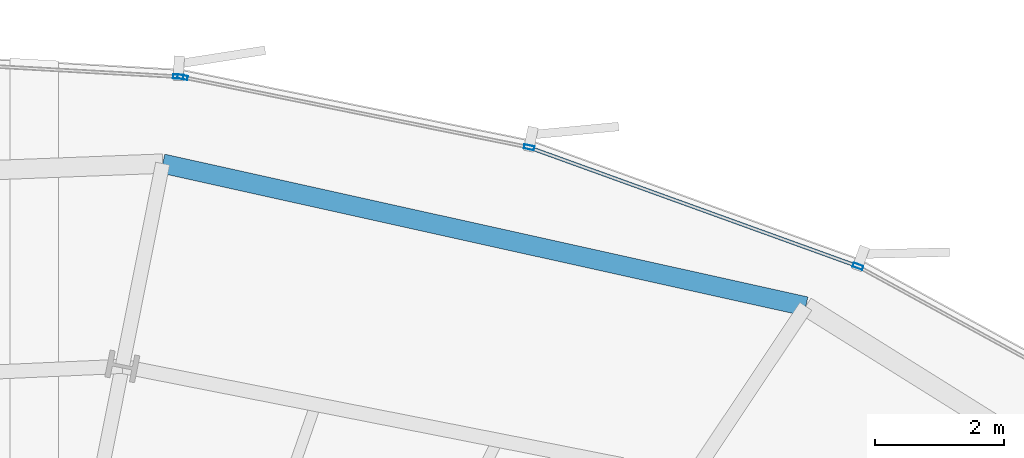
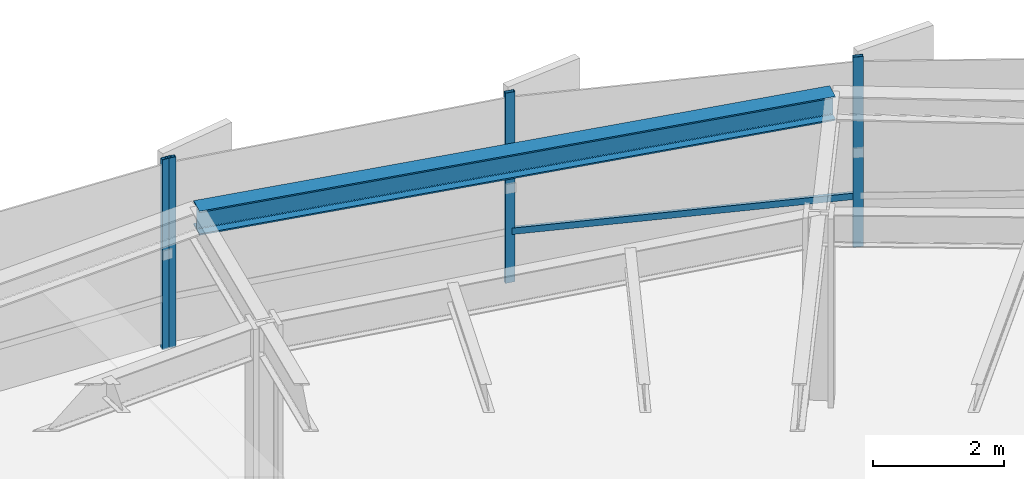
# One storey, part 29 of 39: 5 members, 1 beam, 2 elements without a shape of their own.
"""IFC4 building model written with IfcOpenShell, lengths in metres."""

from ifc_helpers import new_model, si_unit, direction, frame, origin, origin_2d, place, context, subcontext, project, spatial, hollow_rectangle, i_section, extrude, source, transform, mapped, material, layer, layer_set, material_profile, profile_set, type_object, element, aggregate, save


model = new_model("IFC4")

# Units and contexts
model_context = context("Model", 3, precision=1e-05, world=origin(), true_north=direction((0.0, 1.0)))
body_context = subcontext(model_context, "Body", "Model", "MODEL_VIEW")
ifc_project = project(units=[si_unit("LENGTHUNIT", "METRE"), si_unit("AREAUNIT", "SQUARE_METRE"), si_unit("VOLUMEUNIT", "CUBIC_METRE"), si_unit("PLANEANGLEUNIT", "RADIAN"), si_unit("MASSUNIT", "GRAM", prefix="KILO"), si_unit("THERMODYNAMICTEMPERATUREUNIT", "KELVIN")], contexts=[model_context])

# Site, building, storey
site_placement = place(None, origin())
site = spatial("IfcSite", under=ifc_project, at=site_placement, CompositionType="ELEMENT")
building_placement = place(site_placement, origin())
building = spatial("IfcBuilding", under=site, at=building_placement, Name="Kethvar Cultural Tower", CompositionType="ELEMENT")
storey_placement = place(building_placement, frame((0.0, 0.0, 33.39990234375)))
storey = spatial("IfcBuildingStorey", under=building, at=storey_placement, Name="L07", CompositionType="ELEMENT", Elevation=33.39990234375)

# Beam
ifc_material_1 = material(Name="Steel S355J2", Category="steel")
ifc_material_profile_1 = material_profile(ifc_material_1, i_section(OverallWidth=0.300048828125, OverallDepth=0.449951171875, WebThickness=0.013916015625, FlangeThickness=0.02587890625, FilletRadius=0.027099609375, at=origin_2d()), Name="Steel S355J2 — HEB450")
ifc_profile_set_1 = profile_set([ifc_material_profile_1], Name="Steel S355J2 — HEB450")
beam_type = type_object("IfcBeamType", Name="BM-SP450", PredefinedType="SPANDREL", material=ifc_profile_set_1)
shared_shape_1 = source(origin(), body_context, "Body", "SweptSolid", [
    extrude(i_section(OverallWidth=0.300048828125, OverallDepth=0.449951171875, WebThickness=0.013916015625, FlangeThickness=0.02587890625, FilletRadius=0.027099609375, at=origin_2d()), origin(), (0.0, 0.0, 1.0), 10.19873046875),
])
beam_placement = place(storey_placement, frame((61.602783203125, 49.9541015625, 3.322998046875), z_axis=(-0.976234913358, 0.216715006268, 0.0), x_axis=(-0.216715006268, -0.976234913358, 0.0)))
element("IfcBeam", 1, at=beam_placement, inside=storey, type_object=beam_type, Name="L07 Perimeter Spandrel Beam SP-03", PredefinedType="SPANDREL", context=body_context, shape_type="MappedRepresentation", body=[
    mapped(shared_shape_1, transform((0.0, 0.0, 0.0), scale=1.0)),
])

# Curtain wall, members
ifc_material_2 = material(Name="Aluminium 6063-T6", Category="aluminium")
ifc_layer = layer(ifc_material_2, 0.179931640625, Name="Aluminium 6063-T6", Category="aluminium")
ifc_layer_set = layer_set([ifc_layer], Name="Aluminium 6063-T6 (180 mm)")
curtain_wall_type = type_object("IfcCurtainWallType", Name="CW-SYS-02-Z1", PredefinedType="NOTDEFINED", material=ifc_layer_set)
curtain_wall_1_placement = place(storey_placement, origin())
curtain_wall_1 = element("IfcCurtainWall", 2, at=curtain_wall_1_placement, inside=storey, type_object=curtain_wall_type, Name="L07 Curtain Wall Run 02", PredefinedType="NOTDEFINED")
ifc_material_profile_2 = material_profile(ifc_material_2, hollow_rectangle(XDim=0.06494140625, YDim=0.159912109375, WallThickness=0.0048828125, at=origin_2d()), Name="Aluminium 6063-T6 — RHS160x65x5")
ifc_profile_set_2 = profile_set([ifc_material_profile_2], Name="Aluminium 6063-T6 — RHS160x65x5")
member_type_1 = type_object("IfcMemberType", Name="CW-SYS-02-Z1-MUL", PredefinedType="MULLION", material=ifc_profile_set_2)
shared_shape_2 = source(origin(), body_context, "Body", "SweptSolid", [
    extrude(hollow_rectangle(XDim=0.06494140625, YDim=0.159912109375, WallThickness=0.0048828125, at=origin_2d()), origin(), (0.0, 0.0, 1.0), 3.550048828125),
])
member_1_placement = place(storey_placement, frame((62.40771484375, 50.57470703125, 0.0), z_axis=(0.0, 0.0, 1.0), x_axis=(-0.340002066952, -0.940424688355, 0.0)))
member_1 = element("IfcMember", 3, at=member_1_placement, type_object=member_type_1, Name="CW-L07-R02 Mullion 5", PredefinedType="MULLION", context=body_context, shape_type="MappedRepresentation", body=[
    mapped(shared_shape_2, transform((0.0, 0.0, 0.0), scale=1.0)),
])
member_2_placement = place(storey_placement, frame((57.3193359375, 52.415771484375, 0.0), z_axis=(0.0, 0.0, 1.0), x_axis=(-0.198427182518, -0.980115632585, 0.0)))
member_2 = element("IfcMember", 4, at=member_2_placement, type_object=member_type_1, Name="CW-L07-R02 Mullion 6", PredefinedType="MULLION", context=body_context, shape_type="MappedRepresentation", body=[
    mapped(shared_shape_2, transform((0.0, 0.0, 0.0), scale=1.0)),
])
member_3_placement = place(storey_placement, frame((51.954345703125, 53.501953125, 0.0), z_axis=(0.0, 0.0, 1.0), x_axis=(-0.198427182518, -0.980115632585, 0.0)))
member_3 = element("IfcMember", 5, at=member_3_placement, type_object=member_type_1, Name="CW-L07-R02 Mullion 7", PredefinedType="MULLION", context=body_context, shape_type="MappedRepresentation", body=[
    mapped(shared_shape_2, transform((0.0, 0.0, 0.0), scale=1.0)),
])

# Curtain wall, member
curtain_wall_2_placement = place(storey_placement, origin())
curtain_wall_2 = element("IfcCurtainWall", 6, at=curtain_wall_2_placement, inside=storey, type_object=curtain_wall_type, Name="L07 Curtain Wall Run 03", PredefinedType="NOTDEFINED")
member_4_placement = place(storey_placement, frame((51.8876953125, 53.510498046875, 0.0), z_axis=(0.0, 0.0, 1.0), x_axis=(-0.055804078906, -0.998441738299, 0.0)))
member_4 = element("IfcMember", 7, at=member_4_placement, type_object=member_type_1, Name="CW-L07-R03 Mullion 1", PredefinedType="MULLION", context=body_context, shape_type="MappedRepresentation", body=[
    mapped(shared_shape_2, transform((0.0, 0.0, 0.0), scale=1.0)),
])
aggregate(curtain_wall_2, [member_4])

# Member
ifc_material_profile_3 = material_profile(ifc_material_2, hollow_rectangle(XDim=0.054931640625, YDim=0.1201171875, WallThickness=0.00390625, at=origin_2d()), Name="Aluminium 6063-T6 — RHS120x55x4")
ifc_profile_set_3 = profile_set([ifc_material_profile_3], Name="Aluminium 6063-T6 — RHS120x55x4")
member_type_2 = type_object("IfcMemberType", Name="CW-SYS-02-Z1-TRN", PredefinedType="USERDEFINED", material=ifc_profile_set_3)
shared_shape_3 = source(origin(), body_context, "Body", "SweptSolid", [
    extrude(hollow_rectangle(XDim=0.054931640625, YDim=0.1201171875, WallThickness=0.00390625, at=origin_2d()), origin(), (0.0, 0.0, 1.0), 5.335205078125),
])
member_5_placement = place(storey_placement, frame((62.36376953125, 50.5908203125, 0.9501953125), z_axis=(-0.940439740197, 0.339960431606, 0.0), x_axis=(-0.339960431606, -0.940439740197, 0.0)))
member_5 = element("IfcMember", 8, at=member_5_placement, type_object=member_type_2, Name="CW-L07-R02 Transom 5", ObjectType="TRANSOM", PredefinedType="USERDEFINED", context=body_context, shape_type="MappedRepresentation", body=[
    mapped(shared_shape_3, transform((0.0, 0.0, 0.0), scale=1.0)),
])

aggregate(curtain_wall_1, [member_1, member_2, member_3, member_5])

save(model, "model.ifc")
